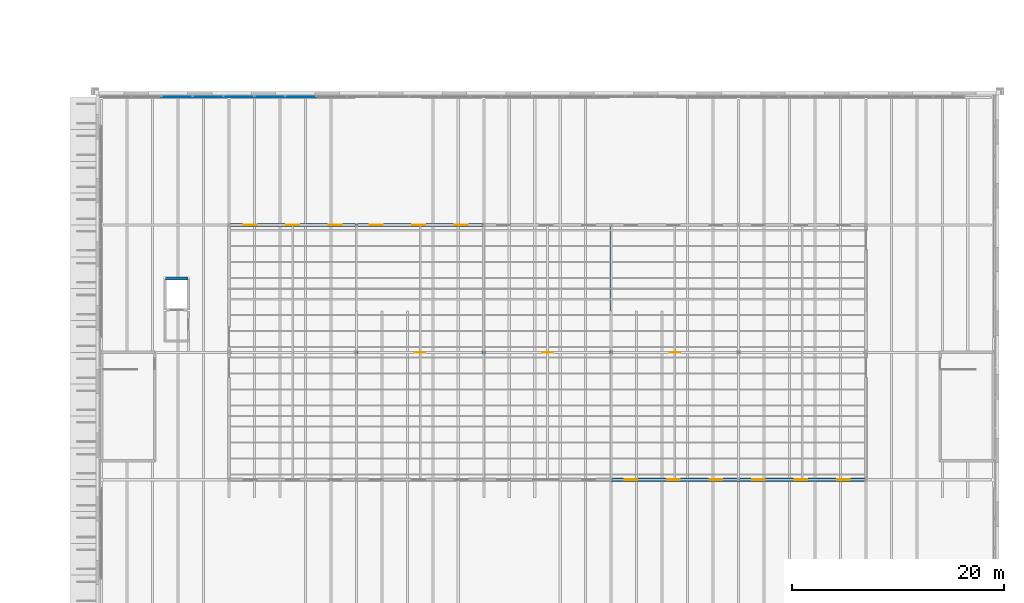
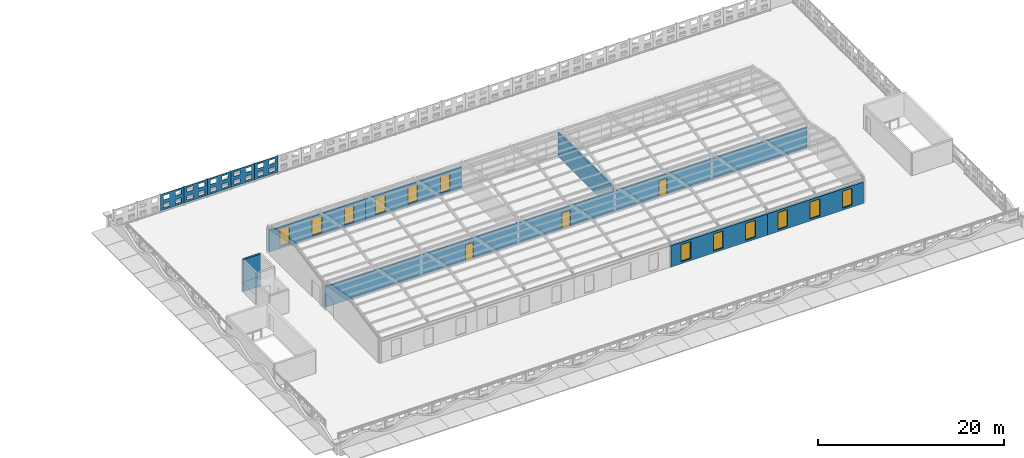
# One storey, part 59 of 91: 13 walls, 12 windows, 3 doors, 35 openings.
"""IFC4 building model written with IfcOpenShell, lengths in metres."""

from ifc_helpers import new_model, si_unit, direction, frame, frame_2d, origin, place, context, subcontext, project, spatial, rectangle, extrude, material, layer, layer_set, type_object, element, fill, save


model = new_model("IFC4")

# Units and contexts
model_context = context("Model", 3, precision=1e-05, world=origin(), true_north=direction((0.0, 1.0)))
body_context = subcontext(model_context, "Body", "Model", "MODEL_VIEW")
ifc_project = project(units=[si_unit("LENGTHUNIT", "METRE"), si_unit("AREAUNIT", "SQUARE_METRE"), si_unit("VOLUMEUNIT", "CUBIC_METRE"), si_unit("PLANEANGLEUNIT", "RADIAN"), si_unit("MASSUNIT", "GRAM", prefix="KILO")], contexts=[model_context])

# Site, building, storey
site_placement = place(None, origin())
site = spatial("IfcSite", under=ifc_project, at=site_placement, CompositionType="ELEMENT")
building_placement = place(site_placement, origin())
building = spatial("IfcBuilding", under=site, at=building_placement, Name="Ravi Spectrum Wholesale Market", CompositionType="ELEMENT")
storey_placement = place(building_placement, frame((0.0, 0.0, 16.199951171875)))
storey = spatial("IfcBuildingStorey", under=building, at=storey_placement, Name="ROOF PLANT LEVEL", CompositionType="ELEMENT", Elevation=16.199951171875)

# Wall, openings, doors
ifc_material_1 = material(Name="Concrete blockwork", Category="masonry")
ifc_layer_1 = layer(ifc_material_1, 0.199951171875)
ifc_layer_set_1 = layer_set([ifc_layer_1], Name="Concrete blockwork")
wall_type_1 = type_object("IfcWallType", Name="Blockwork partition 200 fire", PredefinedType="PARTITIONING", material=ifc_layer_set_1)
wall_1_placement = place(storey_placement, frame((210.14990234375, 42.0, 0.0), z_axis=(0.0, 0.0, 1.0), x_axis=(1.0, 0.0, 0.0)))
wall_1 = element("IfcWall", 1, at=wall_1_placement, inside=storey, type_object=wall_type_1, Name="CS-WL-ROOF-126", PredefinedType="PARTITIONING", context=body_context, shape_type="SweptSolid", body=[
    extrude(rectangle(XDim=59.7001953125, YDim=0.199951171875, at=frame_2d((29.85009765625, 0.0))), origin(), (0.0, 0.0, 1.0), 2.72216796875),
])
opening_1_placement = place(wall_1_placement, frame((17.35009765625, 0.0, 0.0)))
opening_1 = element("IfcOpeningElement", 2, at=opening_1_placement, cuts=wall_1, Name="Opening D552", PredefinedType="OPENING", context=body_context, shape_type="SweptSolid", body=[
    extrude(rectangle(XDim=1.0, YDim=2.10009765625, at=frame_2d((0.5, 1.050048828125))), frame((0.0, 0.10986328125, 0.0), z_axis=(0.0, -1.0, 0.0), x_axis=(1.0, 0.0, 0.0)), (0.0, 0.0, 1.0), 0.219970703125),
])
opening_2_placement = place(wall_1_placement, frame((29.35009765625, 0.0, 0.0)))
opening_2 = element("IfcOpeningElement", 3, at=opening_2_placement, cuts=wall_1, Name="Opening D553", PredefinedType="OPENING", context=body_context, shape_type="SweptSolid", body=[
    extrude(rectangle(XDim=1.0, YDim=2.10009765625, at=frame_2d((0.5, 1.050048828125))), frame((0.0, 0.10986328125, 0.0), z_axis=(0.0, -1.0, 0.0), x_axis=(1.0, 0.0, 0.0)), (0.0, 0.0, 1.0), 0.219970703125),
])
opening_3_placement = place(wall_1_placement, frame((41.35009765625, 0.0, 0.0)))
opening_3 = element("IfcOpeningElement", 4, at=opening_3_placement, cuts=wall_1, Name="Opening D554", PredefinedType="OPENING", context=body_context, shape_type="SweptSolid", body=[
    extrude(rectangle(XDim=1.0, YDim=2.10009765625, at=frame_2d((0.5, 1.050048828125))), frame((0.0, 0.10986328125, 0.0), z_axis=(0.0, -1.0, 0.0), x_axis=(1.0, 0.0, 0.0)), (0.0, 0.0, 1.0), 0.219970703125),
])
ifc_material_2 = material(Name="Steel door", Category="steel")
door_type = type_object("IfcDoorType", Name="Plant room door 1000 x 2100", OperationType="SINGLE_SWING_LEFT", PredefinedType="DOOR", material=ifc_material_2)
door_1_placement = place(opening_1_placement, origin())
door_1 = element("IfcDoor", 5, at=door_1_placement, inside=storey, type_object=door_type, Name="Door to condenser plant room", OperationType="SINGLE_SWING_RIGHT", OverallHeight=2.10009765625, OverallWidth=1.0, PredefinedType="DOOR", context=body_context, shape_type="SweptSolid", body=[
    extrude(rectangle(XDim=1.0, YDim=2.10009765625, at=frame_2d((0.5, 1.050048828125))), frame((0.0, 0.02490234375, 0.0), z_axis=(0.0, -1.0, 0.0), x_axis=(1.0, 0.0, 0.0)), (0.0, 0.0, 1.0), 0.050048828125),
])
fill(opening_1, door_1)
door_2_placement = place(opening_2_placement, origin())
door_2 = element("IfcDoor", 6, at=door_2_placement, inside=storey, type_object=door_type, Name="Door to electrical switch room", OperationType="SINGLE_SWING_LEFT", OverallHeight=2.10009765625, OverallWidth=1.0, PredefinedType="DOOR", context=body_context, shape_type="SweptSolid", body=[
    extrude(rectangle(XDim=1.0, YDim=2.10009765625, at=frame_2d((0.5, 1.050048828125))), frame((0.0, 0.02490234375, 0.0), z_axis=(0.0, -1.0, 0.0), x_axis=(1.0, 0.0, 0.0)), (0.0, 0.0, 1.0), 0.050048828125),
])
fill(opening_2, door_2)
door_3_placement = place(opening_3_placement, origin())
door_3 = element("IfcDoor", 7, at=door_3_placement, inside=storey, type_object=door_type, Name="Door to compressor room", OperationType="SINGLE_SWING_LEFT", OverallHeight=2.10009765625, OverallWidth=1.0, PredefinedType="DOOR", context=body_context, shape_type="SweptSolid", body=[
    extrude(rectangle(XDim=1.0, YDim=2.10009765625, at=frame_2d((0.5, 1.050048828125))), frame((0.0, 0.02490234375, 0.0), z_axis=(0.0, -1.0, 0.0), x_axis=(1.0, 0.0, 0.0)), (0.0, 0.0, 1.0), 0.050048828125),
])
fill(opening_3, door_3)

# Wall
wall_2_placement = place(storey_placement, frame((246.0, 42.10009765625, 0.0), z_axis=(0.0, 0.0, 1.0), x_axis=(0.0, 1.0, 0.0)))
element("IfcWall", 8, at=wall_2_placement, inside=storey, type_object=wall_type_1, Name="CS-WL-ROOF-128", PredefinedType="PARTITIONING", context=body_context, shape_type="SweptSolid", body=[
    extrude(rectangle(XDim=11.75, YDim=0.199951171875, at=frame_2d((5.875, 0.0))), origin(), (0.0, 0.0, 1.0), 3.172119140625),
])

# Wall, openings, windows
ifc_material_3 = material(Name="Clinker brickwork", Category="masonry")
ifc_layer_2 = layer(ifc_material_3, 0.300048828125)
ifc_layer_set_2 = layer_set([ifc_layer_2], Name="Clinker brickwork")
wall_type_2 = type_object("IfcWallType", Name="Brick 300 plant house", PredefinedType="SOLIDWALL", material=ifc_layer_set_2)
wall_3_placement = place(storey_placement, frame((246.0, 30.0, 0.0), z_axis=(0.0, 0.0, 1.0), x_axis=(1.0, 0.0, 0.0)))
wall_3 = element("IfcWall", 9, at=wall_3_placement, inside=storey, type_object=wall_type_2, Name="CS-WL-ROOF-115", PredefinedType="SOLIDWALL", context=body_context, shape_type="SweptSolid", body=[
    extrude(rectangle(XDim=12.0, YDim=0.300048828125, at=frame_2d((6.0, 0.0))), origin(), (0.0, 0.0, 1.0), 2.812255859375),
])
opening_4_placement = place(wall_3_placement, frame((1.280029296875, 0.0, 0.300048828125)))
opening_4 = element("IfcOpeningElement", 10, at=opening_4_placement, cuts=wall_3, Name="Opening W2667", PredefinedType="OPENING", context=body_context, shape_type="SweptSolid", body=[
    extrude(rectangle(XDim=1.199951171875, YDim=2.199951171875, at=frame_2d((0.60009765625, 1.10009765625))), frame((0.0, 0.159912109375, 0.0), z_axis=(0.0, -1.0, 0.0), x_axis=(1.0, 0.0, 0.0)), (0.0, 0.0, 1.0), 0.320068359375),
])
opening_5_placement = place(wall_3_placement, frame((5.280029296875, 0.0, 0.300048828125)))
opening_5 = element("IfcOpeningElement", 11, at=opening_5_placement, cuts=wall_3, Name="Opening W2668", PredefinedType="OPENING", context=body_context, shape_type="SweptSolid", body=[
    extrude(rectangle(XDim=1.199951171875, YDim=2.199951171875, at=frame_2d((0.60009765625, 1.10009765625))), frame((0.0, 0.159912109375, 0.0), z_axis=(0.0, -1.0, 0.0), x_axis=(1.0, 0.0, 0.0)), (0.0, 0.0, 1.0), 0.320068359375),
])
opening_6_placement = place(wall_3_placement, frame((9.280029296875, 0.0, 0.300048828125)))
opening_6 = element("IfcOpeningElement", 12, at=opening_6_placement, cuts=wall_3, Name="Opening W2669", PredefinedType="OPENING", context=body_context, shape_type="SweptSolid", body=[
    extrude(rectangle(XDim=1.199951171875, YDim=2.199951171875, at=frame_2d((0.60009765625, 1.10009765625))), frame((0.0, 0.159912109375, 0.0), z_axis=(0.0, -1.0, 0.0), x_axis=(1.0, 0.0, 0.0)), (0.0, 0.0, 1.0), 0.320068359375),
])
ifc_material_4 = material(Name="Galvanised steel louvre", Category="steel")
window_type = type_object("IfcWindowType", Name="Plant louvre 1200 x 2200", PartitioningType="SINGLE_PANEL", PredefinedType="WINDOW", material=ifc_material_4)
window_1_placement = place(opening_4_placement, origin())
window_1 = element("IfcWindow", 13, at=window_1_placement, inside=storey, type_object=window_type, Name="Window W2667", OverallHeight=2.199951171875, OverallWidth=1.199951171875, PartitioningType="SINGLE_PANEL", PredefinedType="WINDOW", context=body_context, shape_type="SweptSolid", body=[
    extrude(rectangle(XDim=1.199951171875, YDim=2.199951171875, at=frame_2d((0.60009765625, 1.10009765625))), frame((0.0, 0.030029296875, 0.0), z_axis=(0.0, -1.0, 0.0), x_axis=(1.0, 0.0, 0.0)), (0.0, 0.0, 1.0), 0.06005859375),
])
fill(opening_4, window_1)
window_2_placement = place(opening_5_placement, origin())
window_2 = element("IfcWindow", 14, at=window_2_placement, inside=storey, type_object=window_type, Name="Window W2668", OverallHeight=2.199951171875, OverallWidth=1.199951171875, PartitioningType="SINGLE_PANEL", PredefinedType="WINDOW", context=body_context, shape_type="SweptSolid", body=[
    extrude(rectangle(XDim=1.199951171875, YDim=2.199951171875, at=frame_2d((0.60009765625, 1.10009765625))), frame((0.0, 0.030029296875, 0.0), z_axis=(0.0, -1.0, 0.0), x_axis=(1.0, 0.0, 0.0)), (0.0, 0.0, 1.0), 0.06005859375),
])
fill(opening_5, window_2)
window_3_placement = place(opening_6_placement, origin())
window_3 = element("IfcWindow", 15, at=window_3_placement, inside=storey, type_object=window_type, Name="Window W2669", OverallHeight=2.199951171875, OverallWidth=1.199951171875, PartitioningType="SINGLE_PANEL", PredefinedType="WINDOW", context=body_context, shape_type="SweptSolid", body=[
    extrude(rectangle(XDim=1.199951171875, YDim=2.199951171875, at=frame_2d((0.60009765625, 1.10009765625))), frame((0.0, 0.030029296875, 0.0), z_axis=(0.0, -1.0, 0.0), x_axis=(1.0, 0.0, 0.0)), (0.0, 0.0, 1.0), 0.06005859375),
])
fill(opening_6, window_3)

wall_4_placement = place(storey_placement, frame((258.0, 30.0, 0.0), z_axis=(0.0, 0.0, 1.0), x_axis=(1.0, 0.0, 0.0)))
wall_4 = element("IfcWall", 16, at=wall_4_placement, inside=storey, type_object=wall_type_2, Name="CS-WL-ROOF-116", PredefinedType="SOLIDWALL", context=body_context, shape_type="SweptSolid", body=[
    extrude(rectangle(XDim=11.8798828125, YDim=0.300048828125, at=frame_2d((5.93994140625, 0.0))), origin(), (0.0, 0.0, 1.0), 2.812255859375),
])
opening_7_placement = place(wall_4_placement, frame((1.280029296875, 0.0, 0.300048828125)))
opening_7 = element("IfcOpeningElement", 17, at=opening_7_placement, cuts=wall_4, Name="Opening W2670", PredefinedType="OPENING", context=body_context, shape_type="SweptSolid", body=[
    extrude(rectangle(XDim=1.199951171875, YDim=2.199951171875, at=frame_2d((0.60009765625, 1.10009765625))), frame((0.0, 0.159912109375, 0.0), z_axis=(0.0, -1.0, 0.0), x_axis=(1.0, 0.0, 0.0)), (0.0, 0.0, 1.0), 0.320068359375),
])
opening_8_placement = place(wall_4_placement, frame((5.280029296875, 0.0, 0.300048828125)))
opening_8 = element("IfcOpeningElement", 18, at=opening_8_placement, cuts=wall_4, Name="Opening W2671", PredefinedType="OPENING", context=body_context, shape_type="SweptSolid", body=[
    extrude(rectangle(XDim=1.199951171875, YDim=2.199951171875, at=frame_2d((0.60009765625, 1.10009765625))), frame((0.0, 0.159912109375, 0.0), z_axis=(0.0, -1.0, 0.0), x_axis=(1.0, 0.0, 0.0)), (0.0, 0.0, 1.0), 0.320068359375),
])
opening_9_placement = place(wall_4_placement, frame((9.280029296875, 0.0, 0.300048828125)))
opening_9 = element("IfcOpeningElement", 19, at=opening_9_placement, cuts=wall_4, Name="Opening W2672", PredefinedType="OPENING", context=body_context, shape_type="SweptSolid", body=[
    extrude(rectangle(XDim=1.199951171875, YDim=2.199951171875, at=frame_2d((0.60009765625, 1.10009765625))), frame((0.0, 0.159912109375, 0.0), z_axis=(0.0, -1.0, 0.0), x_axis=(1.0, 0.0, 0.0)), (0.0, 0.0, 1.0), 0.320068359375),
])
window_4_placement = place(opening_7_placement, origin())
window_4 = element("IfcWindow", 20, at=window_4_placement, inside=storey, type_object=window_type, Name="Window W2670", OverallHeight=2.199951171875, OverallWidth=1.199951171875, PartitioningType="SINGLE_PANEL", PredefinedType="WINDOW", context=body_context, shape_type="SweptSolid", body=[
    extrude(rectangle(XDim=1.199951171875, YDim=2.199951171875, at=frame_2d((0.60009765625, 1.10009765625))), frame((0.0, 0.030029296875, 0.0), z_axis=(0.0, -1.0, 0.0), x_axis=(1.0, 0.0, 0.0)), (0.0, 0.0, 1.0), 0.06005859375),
])
fill(opening_7, window_4)
window_5_placement = place(opening_8_placement, origin())
window_5 = element("IfcWindow", 21, at=window_5_placement, inside=storey, type_object=window_type, Name="Window W2671", OverallHeight=2.199951171875, OverallWidth=1.199951171875, PartitioningType="SINGLE_PANEL", PredefinedType="WINDOW", context=body_context, shape_type="SweptSolid", body=[
    extrude(rectangle(XDim=1.199951171875, YDim=2.199951171875, at=frame_2d((0.60009765625, 1.10009765625))), frame((0.0, 0.030029296875, 0.0), z_axis=(0.0, -1.0, 0.0), x_axis=(1.0, 0.0, 0.0)), (0.0, 0.0, 1.0), 0.06005859375),
])
fill(opening_8, window_5)
window_6_placement = place(opening_9_placement, origin())
window_6 = element("IfcWindow", 22, at=window_6_placement, inside=storey, type_object=window_type, Name="Window W2672", OverallHeight=2.199951171875, OverallWidth=1.199951171875, PartitioningType="SINGLE_PANEL", PredefinedType="WINDOW", context=body_context, shape_type="SweptSolid", body=[
    extrude(rectangle(XDim=1.199951171875, YDim=2.199951171875, at=frame_2d((0.60009765625, 1.10009765625))), frame((0.0, 0.030029296875, 0.0), z_axis=(0.0, -1.0, 0.0), x_axis=(1.0, 0.0, 0.0)), (0.0, 0.0, 1.0), 0.06005859375),
])
fill(opening_9, window_6)

wall_5_placement = place(storey_placement, frame((210.1201171875, 54.0, 0.0), z_axis=(0.0, 0.0, 1.0), x_axis=(1.0, 0.0, 0.0)))
wall_5 = element("IfcWall", 23, at=wall_5_placement, inside=storey, type_object=wall_type_2, Name="CS-WL-ROOF-117", PredefinedType="SOLIDWALL", context=body_context, shape_type="SweptSolid", body=[
    extrude(rectangle(XDim=11.8798828125, YDim=0.300048828125, at=frame_2d((5.93994140625, 0.0))), origin(), (0.0, 0.0, 1.0), 2.812255859375),
])
opening_10_placement = place(wall_5_placement, frame((1.280029296875, 0.0, 0.300048828125)))
opening_10 = element("IfcOpeningElement", 24, at=opening_10_placement, cuts=wall_5, Name="Opening W2673", PredefinedType="OPENING", context=body_context, shape_type="SweptSolid", body=[
    extrude(rectangle(XDim=1.199951171875, YDim=2.199951171875, at=frame_2d((0.60009765625, 1.10009765625))), frame((0.0, 0.159912109375, 0.0), z_axis=(0.0, -1.0, 0.0), x_axis=(1.0, 0.0, 0.0)), (0.0, 0.0, 1.0), 0.320068359375),
])
opening_11_placement = place(wall_5_placement, frame((5.280029296875, 0.0, 0.300048828125)))
opening_11 = element("IfcOpeningElement", 25, at=opening_11_placement, cuts=wall_5, Name="Opening W2674", PredefinedType="OPENING", context=body_context, shape_type="SweptSolid", body=[
    extrude(rectangle(XDim=1.199951171875, YDim=2.199951171875, at=frame_2d((0.60009765625, 1.10009765625))), frame((0.0, 0.159912109375, 0.0), z_axis=(0.0, -1.0, 0.0), x_axis=(1.0, 0.0, 0.0)), (0.0, 0.0, 1.0), 0.320068359375),
])
opening_12_placement = place(wall_5_placement, frame((9.280029296875, 0.0, 0.300048828125)))
opening_12 = element("IfcOpeningElement", 26, at=opening_12_placement, cuts=wall_5, Name="Opening W2675", PredefinedType="OPENING", context=body_context, shape_type="SweptSolid", body=[
    extrude(rectangle(XDim=1.199951171875, YDim=2.199951171875, at=frame_2d((0.60009765625, 1.10009765625))), frame((0.0, 0.159912109375, 0.0), z_axis=(0.0, -1.0, 0.0), x_axis=(1.0, 0.0, 0.0)), (0.0, 0.0, 1.0), 0.320068359375),
])
window_7_placement = place(opening_10_placement, origin())
window_7 = element("IfcWindow", 27, at=window_7_placement, inside=storey, type_object=window_type, Name="Window W2673", OverallHeight=2.199951171875, OverallWidth=1.199951171875, PartitioningType="SINGLE_PANEL", PredefinedType="WINDOW", context=body_context, shape_type="SweptSolid", body=[
    extrude(rectangle(XDim=1.199951171875, YDim=2.199951171875, at=frame_2d((0.60009765625, 1.10009765625))), frame((0.0, 0.030029296875, 0.0), z_axis=(0.0, -1.0, 0.0), x_axis=(1.0, 0.0, 0.0)), (0.0, 0.0, 1.0), 0.06005859375),
])
fill(opening_10, window_7)
window_8_placement = place(opening_11_placement, origin())
window_8 = element("IfcWindow", 28, at=window_8_placement, inside=storey, type_object=window_type, Name="Window W2674", OverallHeight=2.199951171875, OverallWidth=1.199951171875, PartitioningType="SINGLE_PANEL", PredefinedType="WINDOW", context=body_context, shape_type="SweptSolid", body=[
    extrude(rectangle(XDim=1.199951171875, YDim=2.199951171875, at=frame_2d((0.60009765625, 1.10009765625))), frame((0.0, 0.030029296875, 0.0), z_axis=(0.0, -1.0, 0.0), x_axis=(1.0, 0.0, 0.0)), (0.0, 0.0, 1.0), 0.06005859375),
])
fill(opening_11, window_8)
window_9_placement = place(opening_12_placement, origin())
window_9 = element("IfcWindow", 29, at=window_9_placement, inside=storey, type_object=window_type, Name="Window W2675", OverallHeight=2.199951171875, OverallWidth=1.199951171875, PartitioningType="SINGLE_PANEL", PredefinedType="WINDOW", context=body_context, shape_type="SweptSolid", body=[
    extrude(rectangle(XDim=1.199951171875, YDim=2.199951171875, at=frame_2d((0.60009765625, 1.10009765625))), frame((0.0, 0.030029296875, 0.0), z_axis=(0.0, -1.0, 0.0), x_axis=(1.0, 0.0, 0.0)), (0.0, 0.0, 1.0), 0.06005859375),
])
fill(opening_12, window_9)

wall_6_placement = place(storey_placement, frame((222.0, 54.0, 0.0), z_axis=(0.0, 0.0, 1.0), x_axis=(1.0, 0.0, 0.0)))
wall_6 = element("IfcWall", 30, at=wall_6_placement, inside=storey, type_object=wall_type_2, Name="CS-WL-ROOF-118", PredefinedType="SOLIDWALL", context=body_context, shape_type="SweptSolid", body=[
    extrude(rectangle(XDim=12.0, YDim=0.300048828125, at=frame_2d((6.0, 0.0))), origin(), (0.0, 0.0, 1.0), 2.812255859375),
])
opening_13_placement = place(wall_6_placement, frame((1.280029296875, 0.0, 0.300048828125)))
opening_13 = element("IfcOpeningElement", 31, at=opening_13_placement, cuts=wall_6, Name="Opening W2676", PredefinedType="OPENING", context=body_context, shape_type="SweptSolid", body=[
    extrude(rectangle(XDim=1.199951171875, YDim=2.199951171875, at=frame_2d((0.60009765625, 1.10009765625))), frame((0.0, 0.159912109375, 0.0), z_axis=(0.0, -1.0, 0.0), x_axis=(1.0, 0.0, 0.0)), (0.0, 0.0, 1.0), 0.320068359375),
])
opening_14_placement = place(wall_6_placement, frame((5.280029296875, 0.0, 0.300048828125)))
opening_14 = element("IfcOpeningElement", 32, at=opening_14_placement, cuts=wall_6, Name="Opening W2677", PredefinedType="OPENING", context=body_context, shape_type="SweptSolid", body=[
    extrude(rectangle(XDim=1.199951171875, YDim=2.199951171875, at=frame_2d((0.60009765625, 1.10009765625))), frame((0.0, 0.159912109375, 0.0), z_axis=(0.0, -1.0, 0.0), x_axis=(1.0, 0.0, 0.0)), (0.0, 0.0, 1.0), 0.320068359375),
])
opening_15_placement = place(wall_6_placement, frame((9.280029296875, 0.0, 0.300048828125)))
opening_15 = element("IfcOpeningElement", 33, at=opening_15_placement, cuts=wall_6, Name="Opening W2678", PredefinedType="OPENING", context=body_context, shape_type="SweptSolid", body=[
    extrude(rectangle(XDim=1.199951171875, YDim=2.199951171875, at=frame_2d((0.60009765625, 1.10009765625))), frame((0.0, 0.159912109375, 0.0), z_axis=(0.0, -1.0, 0.0), x_axis=(1.0, 0.0, 0.0)), (0.0, 0.0, 1.0), 0.320068359375),
])
window_10_placement = place(opening_13_placement, origin())
window_10 = element("IfcWindow", 34, at=window_10_placement, inside=storey, type_object=window_type, Name="Window W2676", OverallHeight=2.199951171875, OverallWidth=1.199951171875, PartitioningType="SINGLE_PANEL", PredefinedType="WINDOW", context=body_context, shape_type="SweptSolid", body=[
    extrude(rectangle(XDim=1.199951171875, YDim=2.199951171875, at=frame_2d((0.60009765625, 1.10009765625))), frame((0.0, 0.030029296875, 0.0), z_axis=(0.0, -1.0, 0.0), x_axis=(1.0, 0.0, 0.0)), (0.0, 0.0, 1.0), 0.06005859375),
])
fill(opening_13, window_10)
window_11_placement = place(opening_14_placement, origin())
window_11 = element("IfcWindow", 35, at=window_11_placement, inside=storey, type_object=window_type, Name="Window W2677", OverallHeight=2.199951171875, OverallWidth=1.199951171875, PartitioningType="SINGLE_PANEL", PredefinedType="WINDOW", context=body_context, shape_type="SweptSolid", body=[
    extrude(rectangle(XDim=1.199951171875, YDim=2.199951171875, at=frame_2d((0.60009765625, 1.10009765625))), frame((0.0, 0.030029296875, 0.0), z_axis=(0.0, -1.0, 0.0), x_axis=(1.0, 0.0, 0.0)), (0.0, 0.0, 1.0), 0.06005859375),
])
fill(opening_14, window_11)
window_12_placement = place(opening_15_placement, origin())
window_12 = element("IfcWindow", 36, at=window_12_placement, inside=storey, type_object=window_type, Name="Window W2678", OverallHeight=2.199951171875, OverallWidth=1.199951171875, PartitioningType="SINGLE_PANEL", PredefinedType="WINDOW", context=body_context, shape_type="SweptSolid", body=[
    extrude(rectangle(XDim=1.199951171875, YDim=2.199951171875, at=frame_2d((0.60009765625, 1.10009765625))), frame((0.0, 0.030029296875, 0.0), z_axis=(0.0, -1.0, 0.0), x_axis=(1.0, 0.0, 0.0)), (0.0, 0.0, 1.0), 0.06005859375),
])
fill(opening_15, window_12)

# Wall, openings
ifc_material_5 = material(Name="Aluminium perforated plate", Category="aluminium")
ifc_layer_3 = layer(ifc_material_5, 0.030029296875)
ifc_layer_set_3 = layer_set([ifc_layer_3], Name="Aluminium perforated plate")
wall_type_3 = type_object("IfcWallType", Name="Perforated screen panel 30", PredefinedType="SOLIDWALL", material=ifc_layer_set_3)
wall_7_placement = place(storey_placement, frame((218.1982421875, 66.05078125, 0.300048828125), z_axis=(0.0, 0.0, 1.0), x_axis=(-1.0, 0.0, 0.0)))
wall_7 = element("IfcWall", 37, at=wall_7_placement, inside=storey, type_object=wall_type_3, Name="CS-WL-ROOF-087", PredefinedType="SOLIDWALL", context=body_context, shape_type="SweptSolid", body=[
    extrude(rectangle(XDim=2.906982421875, YDim=0.030029296875, at=frame_2d((1.45361328125, 0.0))), origin(), (0.0, 0.0, 1.0), 2.10009765625),
])
opening_16_placement = place(wall_7_placement, frame((0.35009765625, 0.0, 0.25)))
element("IfcOpeningElement", 38, at=opening_16_placement, cuts=wall_7, Name="Opening CS-OP-ROOF-265", PredefinedType="OPENING", context=body_context, shape_type="SweptSolid", body=[
    extrude(rectangle(XDim=0.75341796875, YDim=0.550048828125, at=frame_2d((0.376708984375, 0.27490234375))), frame((0.0, 0.02490234375, 0.0), z_axis=(0.0, -1.0, 0.0), x_axis=(1.0, 0.0, 0.0)), (0.0, 0.0, 1.0), 0.050048828125),
])
opening_17_placement = place(wall_7_placement, frame((0.35009765625, 0.0, 1.300048828125)))
element("IfcOpeningElement", 39, at=opening_17_placement, cuts=wall_7, Name="Opening CS-OP-ROOF-266", PredefinedType="OPENING", context=body_context, shape_type="SweptSolid", body=[
    extrude(rectangle(XDim=0.75341796875, YDim=0.550048828125, at=frame_2d((0.376708984375, 0.27490234375))), frame((0.0, 0.02490234375, 0.0), z_axis=(0.0, -1.0, 0.0), x_axis=(1.0, 0.0, 0.0)), (0.0, 0.0, 1.0), 0.050048828125),
])
opening_18_placement = place(wall_7_placement, frame((1.803466796875, 0.0, 0.25)))
element("IfcOpeningElement", 40, at=opening_18_placement, cuts=wall_7, Name="Opening CS-OP-ROOF-267", PredefinedType="OPENING", context=body_context, shape_type="SweptSolid", body=[
    extrude(rectangle(XDim=0.75341796875, YDim=0.550048828125, at=frame_2d((0.376708984375, 0.27490234375))), frame((0.0, 0.02490234375, 0.0), z_axis=(0.0, -1.0, 0.0), x_axis=(1.0, 0.0, 0.0)), (0.0, 0.0, 1.0), 0.050048828125),
])
opening_19_placement = place(wall_7_placement, frame((1.803466796875, 0.0, 1.300048828125)))
element("IfcOpeningElement", 41, at=opening_19_placement, cuts=wall_7, Name="Opening CS-OP-ROOF-268", PredefinedType="OPENING", context=body_context, shape_type="SweptSolid", body=[
    extrude(rectangle(XDim=0.75341796875, YDim=0.550048828125, at=frame_2d((0.376708984375, 0.27490234375))), frame((0.0, 0.02490234375, 0.0), z_axis=(0.0, -1.0, 0.0), x_axis=(1.0, 0.0, 0.0)), (0.0, 0.0, 1.0), 0.050048828125),
])

wall_8_placement = place(storey_placement, frame((215.291259765625, 66.05078125, 0.300048828125), z_axis=(0.0, 0.0, 1.0), x_axis=(-1.0, 0.0, 0.0)))
wall_8 = element("IfcWall", 42, at=wall_8_placement, inside=storey, type_object=wall_type_3, Name="CS-WL-ROOF-088", PredefinedType="SOLIDWALL", context=body_context, shape_type="SweptSolid", body=[
    extrude(rectangle(XDim=2.90673828125, YDim=0.030029296875, at=frame_2d((1.453369140625, 0.0))), origin(), (0.0, 0.0, 1.0), 2.10009765625),
])
opening_20_placement = place(wall_8_placement, frame((0.35009765625, 0.0, 0.25)))
element("IfcOpeningElement", 43, at=opening_20_placement, cuts=wall_8, Name="Opening CS-OP-ROOF-269", PredefinedType="OPENING", context=body_context, shape_type="SweptSolid", body=[
    extrude(rectangle(XDim=0.75341796875, YDim=0.550048828125, at=frame_2d((0.376708984375, 0.27490234375))), frame((0.0, 0.02490234375, 0.0), z_axis=(0.0, -1.0, 0.0), x_axis=(1.0, 0.0, 0.0)), (0.0, 0.0, 1.0), 0.050048828125),
])
opening_21_placement = place(wall_8_placement, frame((0.35009765625, 0.0, 1.300048828125)))
element("IfcOpeningElement", 44, at=opening_21_placement, cuts=wall_8, Name="Opening CS-OP-ROOF-270", PredefinedType="OPENING", context=body_context, shape_type="SweptSolid", body=[
    extrude(rectangle(XDim=0.75341796875, YDim=0.550048828125, at=frame_2d((0.376708984375, 0.27490234375))), frame((0.0, 0.02490234375, 0.0), z_axis=(0.0, -1.0, 0.0), x_axis=(1.0, 0.0, 0.0)), (0.0, 0.0, 1.0), 0.050048828125),
])
opening_22_placement = place(wall_8_placement, frame((1.803466796875, 0.0, 0.25)))
element("IfcOpeningElement", 45, at=opening_22_placement, cuts=wall_8, Name="Opening CS-OP-ROOF-271", PredefinedType="OPENING", context=body_context, shape_type="SweptSolid", body=[
    extrude(rectangle(XDim=0.75341796875, YDim=0.550048828125, at=frame_2d((0.376708984375, 0.27490234375))), frame((0.0, 0.02490234375, 0.0), z_axis=(0.0, -1.0, 0.0), x_axis=(1.0, 0.0, 0.0)), (0.0, 0.0, 1.0), 0.050048828125),
])
opening_23_placement = place(wall_8_placement, frame((1.803466796875, 0.0, 1.300048828125)))
element("IfcOpeningElement", 46, at=opening_23_placement, cuts=wall_8, Name="Opening CS-OP-ROOF-272", PredefinedType="OPENING", context=body_context, shape_type="SweptSolid", body=[
    extrude(rectangle(XDim=0.75341796875, YDim=0.550048828125, at=frame_2d((0.376708984375, 0.27490234375))), frame((0.0, 0.02490234375, 0.0), z_axis=(0.0, -1.0, 0.0), x_axis=(1.0, 0.0, 0.0)), (0.0, 0.0, 1.0), 0.050048828125),
])

wall_9_placement = place(storey_placement, frame((212.384521484375, 66.05078125, 0.300048828125), z_axis=(0.0, 0.0, 1.0), x_axis=(-1.0, 0.0, 0.0)))
wall_9 = element("IfcWall", 47, at=wall_9_placement, inside=storey, type_object=wall_type_3, Name="CS-WL-ROOF-089", PredefinedType="SOLIDWALL", context=body_context, shape_type="SweptSolid", body=[
    extrude(rectangle(XDim=2.906982421875, YDim=0.030029296875, at=frame_2d((1.45361328125, 0.0))), origin(), (0.0, 0.0, 1.0), 2.10009765625),
])
opening_24_placement = place(wall_9_placement, frame((0.35009765625, 0.0, 0.25)))
element("IfcOpeningElement", 48, at=opening_24_placement, cuts=wall_9, Name="Opening CS-OP-ROOF-273", PredefinedType="OPENING", context=body_context, shape_type="SweptSolid", body=[
    extrude(rectangle(XDim=0.75341796875, YDim=0.550048828125, at=frame_2d((0.376708984375, 0.27490234375))), frame((0.0, 0.02490234375, 0.0), z_axis=(0.0, -1.0, 0.0), x_axis=(1.0, 0.0, 0.0)), (0.0, 0.0, 1.0), 0.050048828125),
])
opening_25_placement = place(wall_9_placement, frame((0.35009765625, 0.0, 1.300048828125)))
element("IfcOpeningElement", 49, at=opening_25_placement, cuts=wall_9, Name="Opening CS-OP-ROOF-274", PredefinedType="OPENING", context=body_context, shape_type="SweptSolid", body=[
    extrude(rectangle(XDim=0.75341796875, YDim=0.550048828125, at=frame_2d((0.376708984375, 0.27490234375))), frame((0.0, 0.02490234375, 0.0), z_axis=(0.0, -1.0, 0.0), x_axis=(1.0, 0.0, 0.0)), (0.0, 0.0, 1.0), 0.050048828125),
])
opening_26_placement = place(wall_9_placement, frame((1.803466796875, 0.0, 0.25)))
element("IfcOpeningElement", 50, at=opening_26_placement, cuts=wall_9, Name="Opening CS-OP-ROOF-275", PredefinedType="OPENING", context=body_context, shape_type="SweptSolid", body=[
    extrude(rectangle(XDim=0.75341796875, YDim=0.550048828125, at=frame_2d((0.376708984375, 0.27490234375))), frame((0.0, 0.02490234375, 0.0), z_axis=(0.0, -1.0, 0.0), x_axis=(1.0, 0.0, 0.0)), (0.0, 0.0, 1.0), 0.050048828125),
])
opening_27_placement = place(wall_9_placement, frame((1.803466796875, 0.0, 1.300048828125)))
element("IfcOpeningElement", 51, at=opening_27_placement, cuts=wall_9, Name="Opening CS-OP-ROOF-276", PredefinedType="OPENING", context=body_context, shape_type="SweptSolid", body=[
    extrude(rectangle(XDim=0.75341796875, YDim=0.550048828125, at=frame_2d((0.376708984375, 0.27490234375))), frame((0.0, 0.02490234375, 0.0), z_axis=(0.0, -1.0, 0.0), x_axis=(1.0, 0.0, 0.0)), (0.0, 0.0, 1.0), 0.050048828125),
])

wall_10_placement = place(storey_placement, frame((209.4775390625, 66.05078125, 0.300048828125), z_axis=(0.0, 0.0, 1.0), x_axis=(-1.0, 0.0, 0.0)))
wall_10 = element("IfcWall", 52, at=wall_10_placement, inside=storey, type_object=wall_type_3, Name="CS-WL-ROOF-090", PredefinedType="SOLIDWALL", context=body_context, shape_type="SweptSolid", body=[
    extrude(rectangle(XDim=2.90673828125, YDim=0.030029296875, at=frame_2d((1.453369140625, 0.0))), origin(), (0.0, 0.0, 1.0), 2.10009765625),
])
opening_28_placement = place(wall_10_placement, frame((0.35009765625, 0.0, 0.25)))
element("IfcOpeningElement", 53, at=opening_28_placement, cuts=wall_10, Name="Opening CS-OP-ROOF-277", PredefinedType="OPENING", context=body_context, shape_type="SweptSolid", body=[
    extrude(rectangle(XDim=0.75341796875, YDim=0.550048828125, at=frame_2d((0.376708984375, 0.27490234375))), frame((0.0, 0.02490234375, 0.0), z_axis=(0.0, -1.0, 0.0), x_axis=(1.0, 0.0, 0.0)), (0.0, 0.0, 1.0), 0.050048828125),
])
opening_29_placement = place(wall_10_placement, frame((0.35009765625, 0.0, 1.300048828125)))
element("IfcOpeningElement", 54, at=opening_29_placement, cuts=wall_10, Name="Opening CS-OP-ROOF-278", PredefinedType="OPENING", context=body_context, shape_type="SweptSolid", body=[
    extrude(rectangle(XDim=0.75341796875, YDim=0.550048828125, at=frame_2d((0.376708984375, 0.27490234375))), frame((0.0, 0.02490234375, 0.0), z_axis=(0.0, -1.0, 0.0), x_axis=(1.0, 0.0, 0.0)), (0.0, 0.0, 1.0), 0.050048828125),
])
opening_30_placement = place(wall_10_placement, frame((1.803466796875, 0.0, 0.25)))
element("IfcOpeningElement", 55, at=opening_30_placement, cuts=wall_10, Name="Opening CS-OP-ROOF-279", PredefinedType="OPENING", context=body_context, shape_type="SweptSolid", body=[
    extrude(rectangle(XDim=0.75341796875, YDim=0.550048828125, at=frame_2d((0.376708984375, 0.27490234375))), frame((0.0, 0.02490234375, 0.0), z_axis=(0.0, -1.0, 0.0), x_axis=(1.0, 0.0, 0.0)), (0.0, 0.0, 1.0), 0.050048828125),
])
opening_31_placement = place(wall_10_placement, frame((1.803466796875, 0.0, 1.300048828125)))
element("IfcOpeningElement", 56, at=opening_31_placement, cuts=wall_10, Name="Opening CS-OP-ROOF-280", PredefinedType="OPENING", context=body_context, shape_type="SweptSolid", body=[
    extrude(rectangle(XDim=0.75341796875, YDim=0.550048828125, at=frame_2d((0.376708984375, 0.27490234375))), frame((0.0, 0.02490234375, 0.0), z_axis=(0.0, -1.0, 0.0), x_axis=(1.0, 0.0, 0.0)), (0.0, 0.0, 1.0), 0.050048828125),
])

wall_11_placement = place(storey_placement, frame((206.57080078125, 66.05078125, 0.300048828125), z_axis=(0.0, 0.0, 1.0), x_axis=(-1.0, 0.0, 0.0)))
wall_11 = element("IfcWall", 57, at=wall_11_placement, inside=storey, type_object=wall_type_3, Name="CS-WL-ROOF-091", PredefinedType="SOLIDWALL", context=body_context, shape_type="SweptSolid", body=[
    extrude(rectangle(XDim=2.906982421875, YDim=0.030029296875, at=frame_2d((1.45361328125, 0.0))), origin(), (0.0, 0.0, 1.0), 2.10009765625),
])
opening_32_placement = place(wall_11_placement, frame((0.35009765625, 0.0, 0.25)))
element("IfcOpeningElement", 58, at=opening_32_placement, cuts=wall_11, Name="Opening CS-OP-ROOF-281", PredefinedType="OPENING", context=body_context, shape_type="SweptSolid", body=[
    extrude(rectangle(XDim=0.75341796875, YDim=0.550048828125, at=frame_2d((0.376708984375, 0.27490234375))), frame((0.0, 0.02490234375, 0.0), z_axis=(0.0, -1.0, 0.0), x_axis=(1.0, 0.0, 0.0)), (0.0, 0.0, 1.0), 0.050048828125),
])
opening_33_placement = place(wall_11_placement, frame((0.35009765625, 0.0, 1.300048828125)))
element("IfcOpeningElement", 59, at=opening_33_placement, cuts=wall_11, Name="Opening CS-OP-ROOF-282", PredefinedType="OPENING", context=body_context, shape_type="SweptSolid", body=[
    extrude(rectangle(XDim=0.75341796875, YDim=0.550048828125, at=frame_2d((0.376708984375, 0.27490234375))), frame((0.0, 0.02490234375, 0.0), z_axis=(0.0, -1.0, 0.0), x_axis=(1.0, 0.0, 0.0)), (0.0, 0.0, 1.0), 0.050048828125),
])
opening_34_placement = place(wall_11_placement, frame((1.803466796875, 0.0, 0.25)))
element("IfcOpeningElement", 60, at=opening_34_placement, cuts=wall_11, Name="Opening CS-OP-ROOF-283", PredefinedType="OPENING", context=body_context, shape_type="SweptSolid", body=[
    extrude(rectangle(XDim=0.75341796875, YDim=0.550048828125, at=frame_2d((0.376708984375, 0.27490234375))), frame((0.0, 0.02490234375, 0.0), z_axis=(0.0, -1.0, 0.0), x_axis=(1.0, 0.0, 0.0)), (0.0, 0.0, 1.0), 0.050048828125),
])
opening_35_placement = place(wall_11_placement, frame((1.803466796875, 0.0, 1.300048828125)))
element("IfcOpeningElement", 61, at=opening_35_placement, cuts=wall_11, Name="Opening CS-OP-ROOF-284", PredefinedType="OPENING", context=body_context, shape_type="SweptSolid", body=[
    extrude(rectangle(XDim=0.75341796875, YDim=0.550048828125, at=frame_2d((0.376708984375, 0.27490234375))), frame((0.0, 0.02490234375, 0.0), z_axis=(0.0, -1.0, 0.0), x_axis=(1.0, 0.0, 0.0)), (0.0, 0.0, 1.0), 0.050048828125),
])

# Walls
ifc_material_6 = material(Name="Concrete C35/45", Category="concrete")
ifc_layer_4 = layer(ifc_material_6, 0.25)
ifc_layer_set_4 = layer_set([ifc_layer_4], Name="Concrete C35/45")
wall_type_4 = type_object("IfcWallType", Name="Shaft wall 250", PredefinedType="SHEAR", material=ifc_layer_set_4)
wall_12_placement = place(storey_placement, frame((206.14990234375, 48.949951171875, 0.0), z_axis=(0.0, 0.0, 1.0), x_axis=(-1.0, 0.0, 0.0)))
element("IfcWall", 62, at=wall_12_placement, inside=storey, type_object=wall_type_4, Name="CS-WL-ROOF PLANT LEVEL-LF-CS-1-NK", PredefinedType="SHEAR", context=body_context, shape_type="SweptSolid", body=[
    extrude(rectangle(XDim=2.14990234375, YDim=0.25, at=frame_2d((1.074951171875, 0.0))), origin(), (0.0, 0.0, 1.0), 1.300048828125),
])
wall_13_placement = place(storey_placement, frame((206.14990234375, 48.949951171875, 1.300048828125), z_axis=(0.0, 0.0, 1.0), x_axis=(-1.0, 0.0, 0.0)))
element("IfcWall", 63, at=wall_13_placement, inside=storey, type_object=wall_type_4, Name="CS-WL-ROOF PLANT LEVEL-LF-CS-1-N", PredefinedType="SHEAR", context=body_context, shape_type="SweptSolid", body=[
    extrude(rectangle(XDim=2.14990234375, YDim=0.25, at=frame_2d((1.074951171875, 0.0))), origin(), (0.0, 0.0, 1.0), 2.89990234375),
])

save(model, "model.ifc")
